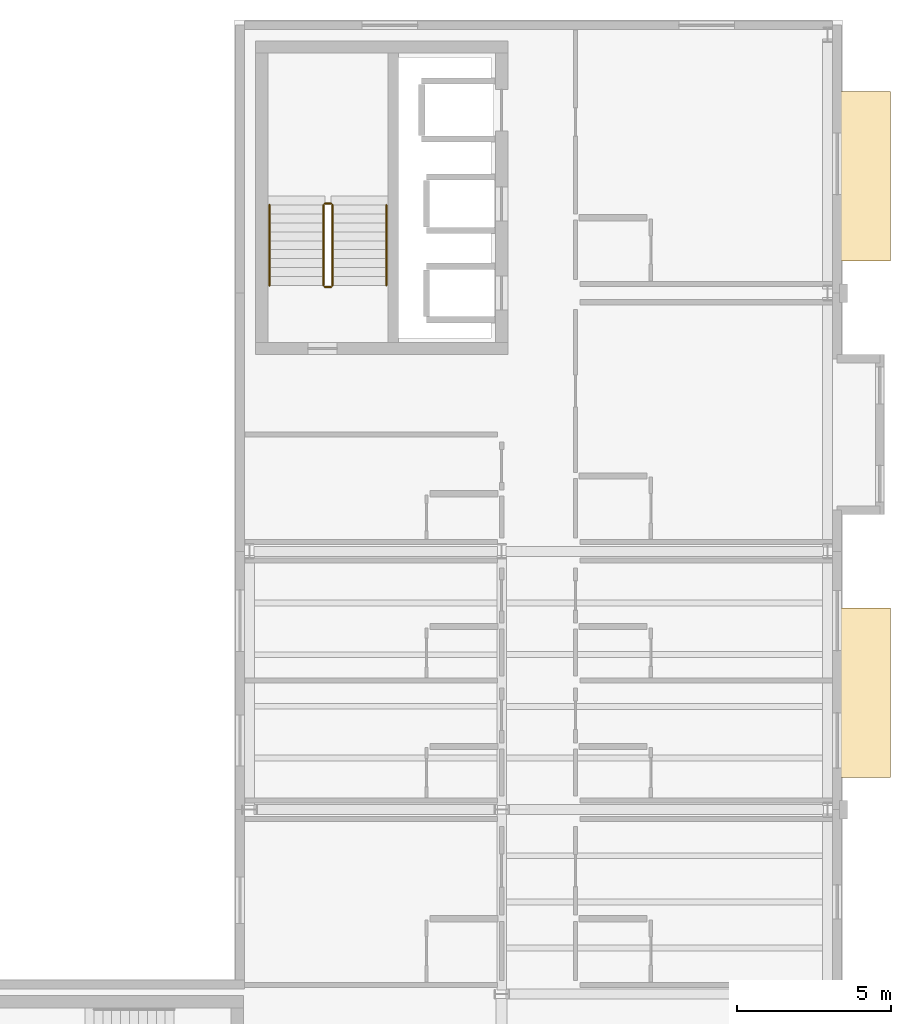
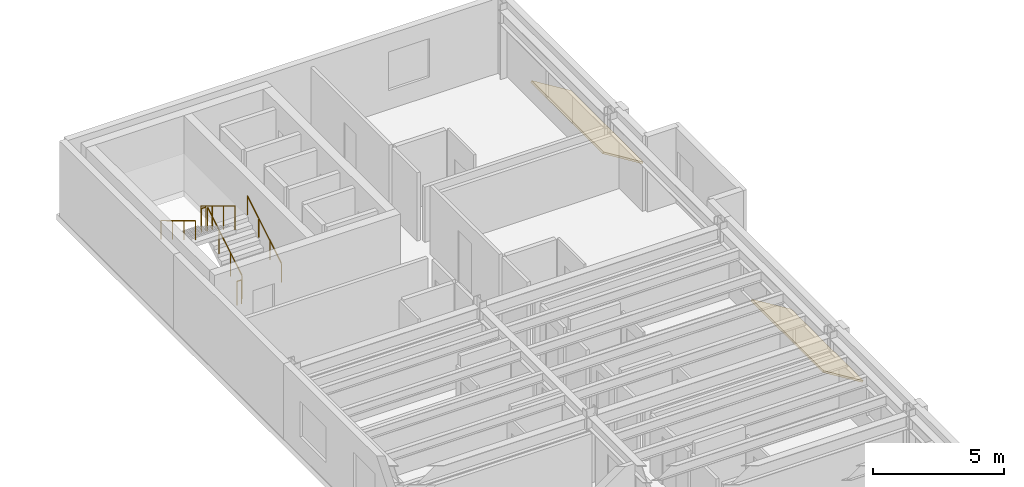
# One storey, part 17 of 17: 6 railings, 2 coverings.
"""IFC4 building model written with IfcOpenShell, lengths in metres."""

import ifcopenshell
import ifcopenshell.guid

model = None  # the IFC model being written
_history = None  # IfcOwnerHistory: only IFC2X3 demands one
_inside = {}  # id of a spatial element -> (the spatial element, [elements in it])
_under = {}  # id of a project, library or spatial element -> (it, [spatial elements below it])
_declared = {}  # id of a project -> (the project, [libraries it declares])
_typed = {}  # id of a type object -> (the type object, [elements of that type])
_made_of = {}  # id of a material, layer set ... -> (it, [elements and type objects made of it])


def new_model(schema):
    """Start an empty IFC model of exactly this schema.

    Asked for "IFC4X3", IfcOpenShell would pick the latest addendum, in which some entities
    have other attributes; the version numbers below select the first issue.
    IFC2X3 requires an IfcOwnerHistory on every rooted entity: one is made here for all.
    """
    global model, _history
    if schema == "IFC4X3":
        model = ifcopenshell.file(schema_version=(4, 3, 0, 0))
    else:
        model = ifcopenshell.file(schema=schema)
    _inside.clear()
    _under.clear()
    _declared.clear()
    _typed.clear()
    _made_of.clear()
    _history = None
    if model.schema == "IFC2X3":
        org = make("IfcOrganization", Name="unknown")
        user = make(
            "IfcPersonAndOrganization",
            ThePerson=make("IfcPerson", FamilyName="unknown"),
            TheOrganization=org,
        )
        app = make(
            "IfcApplication",
            ApplicationDeveloper=org,
            Version="unknown",
            ApplicationFullName="unknown",
            ApplicationIdentifier="unknown",
        )
        _history = make(
            "IfcOwnerHistory",
            OwningUser=user,
            OwningApplication=app,
            ChangeAction="ADDED",
            CreationDate=0,
        )
    return model


def make(cls, **values):
    """One entity of the class cls with the attributes given. An attribute that is None is left unset."""
    return model.create_entity(
        cls, **{name: value for name, value in values.items() if value is not None}
    )


def rooted(cls, **values):
    """An entity with a GlobalId (a new one), such as an element, a storey or a relation."""
    return make(cls, GlobalId=ifcopenshell.guid.new(), OwnerHistory=_history, **values)


def si_unit(unit_type, name, prefix=None):
    """IfcSIUnit, for example si_unit("LENGTHUNIT", "METRE", prefix="MILLI")."""
    return make("IfcSIUnit", UnitType=unit_type, Prefix=prefix, Name=name)


def assignment(units):
    """IfcUnitAssignment: the units of a project."""
    return None if units is None else make("IfcUnitAssignment", Units=units)


def point(xyz):
    """IfcCartesianPoint."""
    return None if xyz is None else make("IfcCartesianPoint", Coordinates=xyz)


def direction(xyz):
    """IfcDirection."""
    return None if xyz is None else make("IfcDirection", DirectionRatios=xyz)


def frame(location, z_axis=None, x_axis=None):
    """IfcAxis2Placement3D, a coordinate frame: its origin and axes. An axis left out is left unset."""
    return make(
        "IfcAxis2Placement3D",
        Location=point(location),
        Axis=direction(z_axis),
        RefDirection=direction(x_axis),
    )


def frame_2d(location, x_axis=None):
    """IfcAxis2Placement2D, a coordinate frame in the plane: its origin and x axis."""
    return make(
        "IfcAxis2Placement2D", Location=point(location), RefDirection=direction(x_axis)
    )


def origin():
    """The frame at (0, 0, 0) with its axes left unset."""
    return frame((0.0, 0.0, 0.0))


def origin_2d():
    """The frame at (0, 0) in the plane with its x axis left unset."""
    return frame_2d((0.0, 0.0))


def place(relative_to, where):
    """IfcLocalPlacement: puts the frame where relative to a parent placement (None: the world)."""
    return make(
        "IfcLocalPlacement", PlacementRelTo=relative_to, RelativePlacement=where
    )


def context(
    kind, dimensions, precision=None, world=None, true_north=None, identifier=None
):
    """IfcGeometricRepresentationContext, for example the 3D "Model" context."""
    return make(
        "IfcGeometricRepresentationContext",
        ContextIdentifier=identifier,
        ContextType=kind,
        CoordinateSpaceDimension=dimensions,
        Precision=precision,
        WorldCoordinateSystem=world,
        TrueNorth=true_north,
    )


def subcontext(parent, identifier, kind, view, scale=None):
    """IfcGeometricRepresentationSubContext, for example "Body" below "Model"."""
    return make(
        "IfcGeometricRepresentationSubContext",
        ContextIdentifier=identifier,
        ContextType=kind,
        ParentContext=parent,
        TargetScale=scale,
        TargetView=view,
    )


def project(units=None, contexts=None):
    """IfcProject with its units and contexts."""
    return rooted(
        "IfcProject",
        Name="project",
        RepresentationContexts=contexts,
        UnitsInContext=assignment(units),
    )


def spatial(cls, under=None, at=None, **own):
    """A site, building, storey or space (cls), placed at a placement, below another one or the project."""
    s = rooted(cls, ObjectPlacement=at, **own)
    if under is not None:
        _under.setdefault(under.id(), (under, []))[1].append(s)
    return s


def polyline(points):
    """IfcPolyline through the points."""
    return make("IfcPolyline", Points=[point(p) for p in points])


def profile(cls, at=None, kind="AREA", **sizes):
    """A parametric profile (cls). Its sizes go by their IFC names, for example OverallWidth=200.0."""
    return make(cls, ProfileType=kind, Position=at, **sizes)


def circle(**sizes):
    """IfcCircleProfileDef."""
    return profile("IfcCircleProfileDef", **sizes)


def outline(outer, holes=None, kind="AREA"):
    """IfcArbitraryClosedProfileDef: a profile drawn as a closed curve; with holes, ...WithVoids."""
    if holes is None:
        return make("IfcArbitraryClosedProfileDef", ProfileType=kind, OuterCurve=outer)
    return make(
        "IfcArbitraryProfileDefWithVoids",
        ProfileType=kind,
        OuterCurve=outer,
        InnerCurves=holes,
    )


def extrude(swept, where, along, depth):
    """IfcExtrudedAreaSolid: the profile swept, set in the frame where, extruded along a direction by depth."""
    return make(
        "IfcExtrudedAreaSolid",
        SweptArea=swept,
        Position=where,
        ExtrudedDirection=direction(along),
        Depth=depth,
    )


def shape(context_of_items, identifier, shape_type, items):
    """IfcShapeRepresentation: the items that make up one representation, for example the "Body"."""
    return make(
        "IfcShapeRepresentation",
        ContextOfItems=context_of_items,
        RepresentationIdentifier=identifier,
        RepresentationType=shape_type,
        Items=items,
    )


def material(Name=None, Category=None):
    """IfcMaterial."""
    return make("IfcMaterial", Name=Name, Category=Category)


def layer(
    of_material, thickness, ventilated=None, Name=None, Category=None, Priority=None
):
    """IfcMaterialLayer: one layer of a wall or slab, of a material (None: an air gap)."""
    return make(
        "IfcMaterialLayer",
        Material=of_material,
        LayerThickness=thickness,
        IsVentilated=ventilated,
        Name=Name,
        Category=Category,
        Priority=Priority,
    )


def layer_set(layers, Name=None):
    """IfcMaterialLayerSet."""
    return make("IfcMaterialLayerSet", MaterialLayers=layers, LayerSetName=Name)


def made_of(thing, what):
    """Note that an element or type object is made of a material, layer set ...; save() writes the relation."""
    if what is not None:
        _made_of.setdefault(what.id(), (what, []))[1].append(thing)
    return thing


def type_object(cls, material=None, **own):
    """A type object (cls), such as IfcWallType, which elements share."""
    return made_of(rooted(cls, **own), material)


def element(
    cls,
    number,
    at=None,
    inside=None,
    cuts=None,
    type_object=None,
    material=None,
    context=None,
    identifier="Body",
    shape_type=None,
    held_by="IfcProductDefinitionShape",
    body=None,
    shapes=None,
    **own,
):
    """One element of the class cls, such as IfcWall. Its Tag is "e" and its number.

    at: its placement. inside: the storey or other place that contains it. cuts: it is an
    opening in that element (IfcRelVoidsElement). A single representation is given by context,
    identifier, shape_type and body (its items); several are given by shapes. held_by: the class
    of the entity that holds the representations. save() writes the other relations.
    """
    e = rooted(cls, Tag="e%d" % number, ObjectPlacement=at, **own)
    if body is not None:
        shapes = [shape(context, identifier, shape_type, body)]
    if shapes is not None:
        e.Representation = make(held_by, Representations=shapes)
    if inside is not None:
        _inside.setdefault(inside.id(), (inside, []))[1].append(e)
    if cuts is not None:
        rooted(
            "IfcRelVoidsElement", RelatingBuildingElement=cuts, RelatedOpeningElement=e
        )
    if type_object is not None:
        _typed.setdefault(type_object.id(), (type_object, []))[1].append(e)
    return made_of(e, material)


def aggregate(whole, parts):
    """IfcRelAggregates: a whole, such as a stair, and the parts it consists of."""
    return rooted("IfcRelAggregates", RelatingObject=whole, RelatedObjects=parts)


def save(model, path):
    """Write the relations noted so far, then the file.

    IfcRelAggregates (storeys below a building ...), IfcRelContainedInSpatialStructure (elements
    in a storey), IfcRelDefinesByType, IfcRelAssociatesMaterial and IfcRelDeclares: one each for
    every whole, place, type object, material and project.
    """
    for whole, parts in _under.values():
        aggregate(whole, parts)
    for where, things in _inside.values():
        rooted(
            "IfcRelContainedInSpatialStructure",
            RelatedElements=things,
            RelatingStructure=where,
        )
    for kind, things in _typed.values():
        rooted("IfcRelDefinesByType", RelatedObjects=things, RelatingType=kind)
    for what, things in _made_of.values():
        rooted("IfcRelAssociatesMaterial", RelatedObjects=things, RelatingMaterial=what)
    for by, libraries in _declared.values():
        rooted("IfcRelDeclares", RelatingContext=by, RelatedDefinitions=libraries)
    model.write(path)


model = new_model("IFC4")

# Units and contexts
model_context = context("Model", 3, precision=1e-05, world=origin(), true_north=direction((0.0, 1.0)))
body_context = subcontext(model_context, "Body", "Model", "MODEL_VIEW")
ifc_project = project(units=[si_unit("LENGTHUNIT", "METRE"), si_unit("AREAUNIT", "SQUARE_METRE"), si_unit("VOLUMEUNIT", "CUBIC_METRE"), si_unit("PLANEANGLEUNIT", "RADIAN"), si_unit("MASSUNIT", "GRAM", prefix="KILO")], contexts=[model_context])

# Site, building, storey
site_placement = place(None, origin())
site = spatial("IfcSite", under=ifc_project, at=site_placement, CompositionType="ELEMENT")
building_placement = place(site_placement, origin())
building = spatial("IfcBuilding", under=site, at=building_placement, Name="Sollismere Congress Hotel", CompositionType="ELEMENT")
storey_placement = place(building_placement, frame((0.0, 0.0, 41.10009765625)))
storey = spatial("IfcBuildingStorey", under=building, at=storey_placement, Name="L10", CompositionType="ELEMENT", Elevation=41.10009765625)

# Coverings
ifc_material_1 = material(Name="Standing-Seam Titanium-Zinc Roof Assembly")
ifc_layer = layer(ifc_material_1, 0.054931640625, Name="Standing-Seam Titanium-Zinc Roof Assembly")
ifc_layer_set = layer_set([ifc_layer], Name="Standing-Seam Titanium-Zinc Roof Assembly")
covering_type = type_object("IfcCoveringType", Name="CV-RFZNC", PredefinedType="ROOFING", material=ifc_layer_set)
for number, where, z_axis, x_axis, name in (
    (1, (166.258056640625, 25.85009765625, 0.716796875), (0.525209771298, 0.0, 0.850972794003), (0.850972794003, 0.0, -0.525209771298), "Cikma bay sacak hood SL-CKH-31"),
    (2, (166.258056640625, 42.64990234375, 0.716796875), (0.525209771298, 0.0, 0.850972794003), (0.850972794003, 0.0, -0.525209771298), "Cikma bay sacak hood SL-CKH-32"),
):
    element("IfcCovering", number, at=place(storey_placement, frame(where, z_axis=z_axis, x_axis=x_axis)), inside=storey, type_object=covering_type, Name=name, PredefinedType="ROOFING", context=body_context, shape_type="SweptSolid", body=[
        extrude(outline(polyline([(0.0, 0.0), (2.056396484375, 0.0), (2.056396484375, 5.5), (0.0, 5.5), (0.0, 0.0)])), origin(), (0.0, 0.0, 1.0), 0.080078125),
    ])

# Railings
ifc_material_2 = material(Name="Steel ASTM A500 Grade C", Category="steel")
railing_type_1 = type_object("IfcRailingType", Name="RL-GRD112", PredefinedType="GUARDRAIL", material=ifc_material_2)
railing_1_placement = place(storey_placement, frame((149.89990234375, 41.85009765625, 0.1748046875)))
element("IfcRailing", 3, at=railing_1_placement, inside=storey, type_object=railing_type_1, Name="RLG-RG-ST-03-L10-1", PredefinedType="GUARDRAIL", context=body_context, shape_type="SweptSolid", body=[
    extrude(circle(Radius=0.02392578125, at=origin_2d()), frame((0.0, 0.0, 1.09619140625), z_axis=(0.0, 0.856147343639, 0.516731773728), x_axis=(-1.0, 0.0, 0.0)), (0.0, 0.0, 1.0), 3.04833984375),
    extrude(circle(Radius=0.02099609375, at=origin_2d()), origin(), (0.0, 0.0, 1.0), 1.072021484375),
    extrude(circle(Radius=0.02099609375, at=origin_2d()), frame((0.0, 0.869873046875, 0.525146484375)), (0.0, 0.0, 1.0), 1.072021484375),
    extrude(circle(Radius=0.02099609375, at=origin_2d()), frame((0.0, 1.739990234375, 1.050048828125)), (0.0, 0.0, 1.0), 1.072021484375),
    extrude(circle(Radius=0.02099609375, at=origin_2d()), frame((0.0, 2.60986328125, 1.5751953125)), (0.0, 0.0, 1.0), 1.072021484375),
])
railing_2_placement = place(storey_placement, frame((149.85009765625, 44.510009765625, 1.75)))
element("IfcRailing", 4, at=railing_2_placement, inside=storey, type_object=railing_type_1, Name="RLG-RG-ST-03-L10-2", PredefinedType="GUARDRAIL", context=body_context, shape_type="SweptSolid", body=[
    extrude(circle(Radius=0.02392578125, at=origin_2d()), frame((0.0, 0.0, 1.09619140625), z_axis=(-1.0, 0.0, 0.0), x_axis=(0.0, -1.0, 0.0)), (0.0, 0.0, 1.0), 0.2001953125),
    extrude(circle(Radius=0.02099609375, at=origin_2d()), origin(), (0.0, 0.0, 1.0), 1.072021484375),
    extrude(circle(Radius=0.02099609375, at=origin_2d()), frame((-0.2001953125, 0.0, 0.0)), (0.0, 0.0, 1.0), 1.072021484375),
])
railing_3_placement = place(storey_placement, frame((149.60009765625, 44.4599609375, 1.9248046875)))
element("IfcRailing", 5, at=railing_3_placement, inside=storey, type_object=railing_type_1, Name="RLG-RG-ST-03-L10-3", PredefinedType="GUARDRAIL", context=body_context, shape_type="SweptSolid", body=[
    extrude(circle(Radius=0.02392578125, at=origin_2d()), frame((0.0, 0.0, 1.09619140625), z_axis=(0.0, -0.856147343639, 0.516731773728), x_axis=(1.0, 0.0, 0.0)), (0.0, 0.0, 1.0), 3.04833984375),
    extrude(circle(Radius=0.02099609375, at=origin_2d()), origin(), (0.0, 0.0, 1.0), 1.072021484375),
    extrude(circle(Radius=0.02099609375, at=origin_2d()), frame((0.0, -0.869873046875, 0.525146484375)), (0.0, 0.0, 1.0), 1.072021484375),
    extrude(circle(Radius=0.02099609375, at=origin_2d()), frame((0.0, -1.739990234375, 1.050048828125)), (0.0, 0.0, 1.0), 1.072021484375),
    extrude(circle(Radius=0.02099609375, at=origin_2d()), frame((0.0, -2.60986328125, 1.5751953125)), (0.0, 0.0, 1.0), 1.072021484375),
])
railing_4_placement = place(storey_placement, frame((149.85009765625, 41.800048828125, 0.0)))
element("IfcRailing", 6, at=railing_4_placement, inside=storey, type_object=railing_type_1, Name="RLG-RG-ST-03-L10-4", PredefinedType="GUARDRAIL", context=body_context, shape_type="SweptSolid", body=[
    extrude(circle(Radius=0.02392578125, at=origin_2d()), frame((0.0, 0.0, 1.09619140625), z_axis=(-1.0, 0.0, 0.0), x_axis=(0.0, -1.0, 0.0)), (0.0, 0.0, 1.0), 0.2001953125),
    extrude(circle(Radius=0.02099609375, at=origin_2d()), origin(), (0.0, 0.0, 1.0), 1.072021484375),
    extrude(circle(Radius=0.02099609375, at=origin_2d()), frame((-0.2001953125, 0.0, 0.0)), (0.0, 0.0, 1.0), 1.072021484375),
])
ifc_material_3 = material(Name="Brushed Architectural Bronze")
railing_type_2 = type_object("IfcRailingType", Name="RL-HND90", PredefinedType="HANDRAIL", material=ifc_material_3)
railing_5_placement = place(storey_placement, frame((151.64990234375, 41.85009765625, 0.325927734375)))
element("IfcRailing", 7, at=railing_5_placement, inside=storey, type_object=railing_type_2, Name="RLG-RH-ST-03-L10-1", PredefinedType="HANDRAIL", context=body_context, shape_type="SweptSolid", body=[
    extrude(circle(Radius=0.02392578125, at=origin_2d()), frame((0.0, 0.0, 0.8759765625), z_axis=(0.0, 0.85618277418, 0.516673066065), x_axis=(-1.0, 0.0, 0.0)), (0.0, 0.0, 1.0), 3.04833984375),
    extrude(circle(Radius=0.02099609375, at=origin_2d()), origin(), (0.0, 0.0, 1.0), 0.851806640625),
    extrude(circle(Radius=0.02099609375, at=origin_2d()), frame((0.0, 0.869873046875, 0.52490234375)), (0.0, 0.0, 1.0), 0.851806640625),
    extrude(circle(Radius=0.02099609375, at=origin_2d()), frame((0.0, 1.739990234375, 1.050048828125)), (0.0, 0.0, 1.0), 0.851806640625),
    extrude(circle(Radius=0.02099609375, at=origin_2d()), frame((0.0, 2.60986328125, 1.574951171875)), (0.0, 0.0, 1.0), 0.851806640625),
])
railing_6_placement = place(storey_placement, frame((147.85009765625, 44.4599609375, 2.075927734375)))
element("IfcRailing", 8, at=railing_6_placement, inside=storey, type_object=railing_type_2, Name="RLG-RH-ST-03-L10-2", PredefinedType="HANDRAIL", context=body_context, shape_type="SweptSolid", body=[
    extrude(circle(Radius=0.02392578125, at=origin_2d()), frame((0.0, 0.0, 0.8759765625), z_axis=(0.0, -0.85618277418, 0.516673066065), x_axis=(1.0, 0.0, 0.0)), (0.0, 0.0, 1.0), 3.04833984375),
    extrude(circle(Radius=0.02099609375, at=origin_2d()), origin(), (0.0, 0.0, 1.0), 0.851806640625),
    extrude(circle(Radius=0.02099609375, at=origin_2d()), frame((0.0, -0.869873046875, 0.52490234375)), (0.0, 0.0, 1.0), 0.851806640625),
    extrude(circle(Radius=0.02099609375, at=origin_2d()), frame((0.0, -1.739990234375, 1.050048828125)), (0.0, 0.0, 1.0), 0.851806640625),
    extrude(circle(Radius=0.02099609375, at=origin_2d()), frame((0.0, -2.60986328125, 1.574951171875)), (0.0, 0.0, 1.0), 0.851806640625),
])

save(model, "model.ifc")
